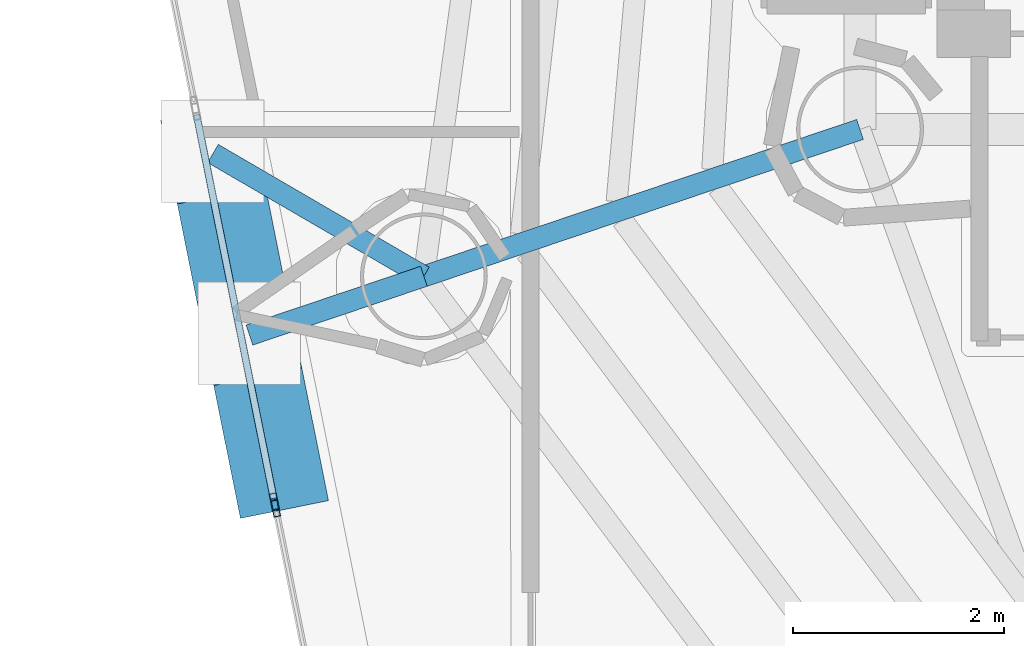
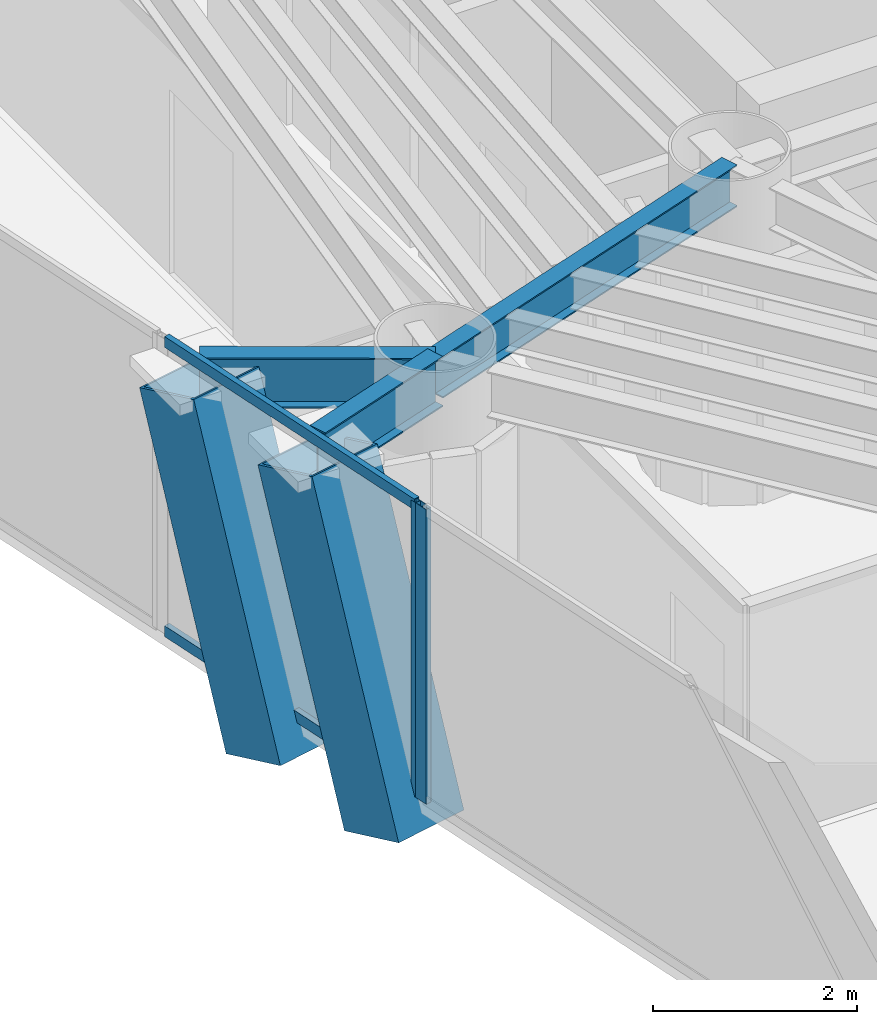
# One storey, part 4 of 22: 6 members, 3 beams, 2 elements without a shape of their own.
"""IFC4 building model written with IfcOpenShell, lengths in metres."""

from ifc_helpers import new_model, si_unit, direction, frame, origin, origin_2d, place, context, subcontext, project, spatial, hollow_rectangle, i_section, extrude, material, layer, layer_set, material_profile, profile_set, type_object, element, aggregate, save


model = new_model("IFC4")

# Units and contexts
model_context = context("Model", 3, precision=1e-05, world=origin(), true_north=direction((0.0, 1.0)))
body_context = subcontext(model_context, "Body", "Model", "MODEL_VIEW")
ifc_project = project(units=[si_unit("LENGTHUNIT", "METRE"), si_unit("AREAUNIT", "SQUARE_METRE"), si_unit("VOLUMEUNIT", "CUBIC_METRE"), si_unit("PLANEANGLEUNIT", "RADIAN"), si_unit("MASSUNIT", "GRAM", prefix="KILO")], contexts=[model_context])

# Site, building, storey
site_placement = place(None, origin())
site = spatial("IfcSite", under=ifc_project, at=site_placement, CompositionType="ELEMENT")
building_placement = place(site_placement, origin())
building = spatial("IfcBuilding", under=site, at=building_placement, Name="Qianvela Tower", CompositionType="ELEMENT")
storey_placement = place(building_placement, frame((0.0, 0.0, 196.60009765625)))
storey = spatial("IfcBuildingStorey", under=building, at=storey_placement, Name="L50", CompositionType="ELEMENT", Elevation=196.60009765625)

# Beams
ifc_material_1 = material(Name="Steel Q355B", Category="steel")
ifc_material_profile_1 = material_profile(ifc_material_1, i_section(OverallWidth=0.199951171875, OverallDepth=0.5, WebThickness=0.010009765625, FlangeThickness=0.01611328125, at=origin_2d()), Name="HN500x200x10x16")
ifc_profile_set_1 = profile_set([ifc_material_profile_1], Name="Steel Q355B")
beam_type_1 = type_object("IfcBeamType", Name="BM-HN500-GIRD", PredefinedType="BEAM", material=ifc_profile_set_1)
beam_1_placement = place(storey_placement, frame((28.60009765625, 23.85009765625, 3.267822265625), z_axis=(-0.947709214586, -0.319135150976, 0.0), x_axis=(0.319135150976, -0.947709214586, 0.0)))
element("IfcBeam", 1, at=beam_1_placement, inside=storey, type_object=beam_type_1, Name="L50 Radial Primary Floor Girder 4", PredefinedType="BEAM", context=body_context, shape_type="SweptSolid", body=[
    extrude(i_section(OverallWidth=0.199951171875, OverallDepth=0.5, WebThickness=0.010009765625, FlangeThickness=0.01611328125, at=origin_2d()), origin(), (0.0, 0.0, 1.0), 4.35595703125),
])
ifc_material_2 = material(Name="Steel Q355B", Category="steel")
ifc_material_profile_2 = material_profile(ifc_material_2, i_section(OverallWidth=0.199951171875, OverallDepth=0.60009765625, WebThickness=0.010986328125, FlangeThickness=0.01708984375, at=origin_2d()), Name="HN600x200x11x17")
ifc_profile_set_2 = profile_set([ifc_material_profile_2], Name="Steel Q355B")
beam_type_2 = type_object("IfcBeamType", Name="BM-HN600-GIRD", PredefinedType="BEAM", material=ifc_profile_set_2)
beam_2_placement = place(storey_placement, frame((24.471923828125, 22.4599609375, 3.218017578125), z_axis=(-0.864162000507, 0.503213708955, 0.0), x_axis=(-0.503213708955, -0.864162000507, 0.0)))
element("IfcBeam", 2, at=beam_2_placement, inside=storey, type_object=beam_type_2, Name="L50 Mega-Brace Column Tie Bracket F2-1", PredefinedType="BEAM", context=body_context, shape_type="SweptSolid", body=[
    extrude(i_section(OverallWidth=0.199951171875, OverallDepth=0.60009765625, WebThickness=0.010986328125, FlangeThickness=0.01708984375, at=origin_2d()), origin(), (0.0, 0.0, 1.0), 2.309814453125),
])
beam_3_placement = place(storey_placement, frame((24.471923828125, 22.4599609375, 3.218017578125), z_axis=(-0.947669414841, -0.319253316623, 0.0), x_axis=(0.319253316623, -0.947669414841, 0.0)))
element("IfcBeam", 3, at=beam_3_placement, inside=storey, type_object=beam_type_2, Name="L50 Mega-Brace Column Tie Bracket F2-2", PredefinedType="BEAM", context=body_context, shape_type="SweptSolid", body=[
    extrude(i_section(OverallWidth=0.199951171875, OverallDepth=0.60009765625, WebThickness=0.010986328125, FlangeThickness=0.01708984375, at=origin_2d()), origin(), (0.0, 0.0, 1.0), 1.741943359375),
])

# Curtain wall, members
ifc_material_3 = material(Name="Anodised Architectural Aluminium and Insulated Spandrel Panel", Category="aluminium")
ifc_layer_1 = layer(ifc_material_3, 0.179931640625)
ifc_layer_set_1 = layer_set([ifc_layer_1], Name="Anodised Architectural Aluminium and Insulated Spandrel Panel")
curtain_wall_type_1 = type_object("IfcCurtainWallType", Name="CW-BRACEBAY", PredefinedType="USERDEFINED", material=ifc_layer_set_1)
curtain_wall_1_placement = place(storey_placement, origin())
curtain_wall_1 = element("IfcCurtainWall", 4, at=curtain_wall_1_placement, inside=storey, type_object=curtain_wall_type_1, Name="L50 CW-BRACEBAY Curtain Wall 04B", ObjectType="CURTAIN_WALL_SYSTEM", PredefinedType="USERDEFINED")
ifc_material_4 = material(Name="Anodised Architectural Aluminium 6063-T6", Category="aluminium")
ifc_material_profile_3 = material_profile(ifc_material_4, hollow_rectangle(XDim=0.06494140625, YDim=0.159912109375, WallThickness=0.0048828125, at=origin_2d()), Name="ALU-MULL-65x160")
ifc_profile_set_3 = profile_set([ifc_material_profile_3], Name="Anodised Architectural Aluminium 6063-T6")
member_type_1 = type_object("IfcMemberType", Name="CW-BRACEBAY-MULL", PredefinedType="MULLION", material=ifc_profile_set_3)
member_1_placement = place(storey_placement, frame((23.05615234375, 20.327880859375, 0.0), z_axis=(0.0, 0.0, 1.0), x_axis=(0.980409588589, 0.196969638782, 0.0)))
member_1 = element("IfcMember", 5, at=member_1_placement, type_object=member_type_1, Name="CW-9 mullion 2", PredefinedType="MULLION", context=body_context, shape_type="SweptSolid", body=[
    extrude(hollow_rectangle(XDim=0.06494140625, YDim=0.159912109375, WallThickness=0.0048828125, at=origin_2d()), origin(), (0.0, 0.0, 1.0), 3.52001953125),
])
ifc_material_5 = material(Name="Anodised Architectural Aluminium 6063-T6", Category="aluminium")
ifc_material_profile_4 = material_profile(ifc_material_5, hollow_rectangle(XDim=0.06494140625, YDim=0.1298828125, WallThickness=0.00439453125, at=origin_2d()), Name="ALU-TRAN-65x130")
ifc_profile_set_4 = profile_set([ifc_material_profile_4], Name="Anodised Architectural Aluminium 6063-T6")
member_type_2 = type_object("IfcMemberType", Name="CW-BRACEBAY-TRAN", PredefinedType="USERDEFINED", material=ifc_profile_set_4)
member_2_placement = place(storey_placement, frame((22.32080078125, 23.9873046875, 0.032470703125), z_axis=(0.197016936141, -0.980400085105, 0.0), x_axis=(0.980400085105, 0.197016936141, 0.0)))
member_2 = element("IfcMember", 6, at=member_2_placement, type_object=member_type_2, Name="CW-9 transom 1.1", ObjectType="TRANSOM", PredefinedType="USERDEFINED", context=body_context, shape_type="SweptSolid", body=[
    extrude(hollow_rectangle(XDim=0.06494140625, YDim=0.1298828125, WallThickness=0.00439453125, at=origin_2d()), origin(), (0.0, 0.0, 1.0), 3.7001953125),
])
member_3_placement = place(storey_placement, frame((22.32080078125, 23.9873046875, 3.4873046875), z_axis=(0.197016936141, -0.980400085105, 0.0), x_axis=(0.980400085105, 0.197016936141, 0.0)))
member_3 = element("IfcMember", 7, at=member_3_placement, type_object=member_type_2, Name="CW-9 transom 1.2", ObjectType="TRANSOM", PredefinedType="USERDEFINED", context=body_context, shape_type="SweptSolid", body=[
    extrude(hollow_rectangle(XDim=0.06494140625, YDim=0.1298828125, WallThickness=0.00439453125, at=origin_2d()), origin(), (0.0, 0.0, 1.0), 3.7001953125),
])
aggregate(curtain_wall_1, [member_1, member_2, member_3])

# Curtain wall, member
ifc_material_6 = material(Name="Anodised Architectural Aluminium and Low-E Glass", Category="aluminium")
ifc_layer_2 = layer(ifc_material_6, 0.159912109375)
ifc_layer_set_2 = layer_set([ifc_layer_2], Name="Anodised Architectural Aluminium and Low-E Glass")
curtain_wall_type_2 = type_object("IfcCurtainWallType", Name="CW-COLIV-Z56", PredefinedType="USERDEFINED", material=ifc_layer_set_2)
curtain_wall_2_placement = place(storey_placement, origin())
curtain_wall_2 = element("IfcCurtainWall", 8, at=curtain_wall_2_placement, inside=storey, type_object=curtain_wall_type_2, Name="L50 CW-COLIV-Z56 Curtain Wall 04C", ObjectType="CURTAIN_WALL_SYSTEM", PredefinedType="USERDEFINED")
ifc_material_7 = material(Name="Anodised Architectural Aluminium 6063-T6", Category="aluminium")
ifc_material_profile_5 = material_profile(ifc_material_7, hollow_rectangle(XDim=0.06494140625, YDim=0.159912109375, WallThickness=0.0048828125, at=origin_2d()), Name="ALU-MULL-65x160")
ifc_profile_set_5 = profile_set([ifc_material_profile_5], Name="Anodised Architectural Aluminium 6063-T6")
member_type_3 = type_object("IfcMemberType", Name="CW-COLIV-Z56-MULL", PredefinedType="MULLION", material=ifc_profile_set_5)
member_4_placement = place(storey_placement, frame((23.06884765625, 20.26416015625, 0.0), z_axis=(0.0, 0.0, 1.0), x_axis=(0.980406794929, 0.19698354362, 0.0)))
member_4 = element("IfcMember", 9, at=member_4_placement, type_object=member_type_3, Name="CW-5 mullion 1", PredefinedType="MULLION", context=body_context, shape_type="SweptSolid", body=[
    extrude(hollow_rectangle(XDim=0.06494140625, YDim=0.159912109375, WallThickness=0.0048828125, at=origin_2d()), origin(), (0.0, 0.0, 1.0), 3.52001953125),
])
aggregate(curtain_wall_2, [member_4])

# Members
ifc_material_8 = material(Name="Steel Q420GJC", Category="steel")
ifc_material_profile_6 = material_profile(ifc_material_8, hollow_rectangle(XDim=0.85009765625, YDim=0.85009765625, WallThickness=0.031982421875, at=origin_2d()), Name="MBOX-850x850x32")
ifc_profile_set_6 = profile_set([ifc_material_profile_6], Name="Steel Q420GJC")
member_type_4 = type_object("IfcMemberType", Name="MBR-MBRACE-850", PredefinedType="BRACE", material=ifc_profile_set_6)
member_5_placement = place(storey_placement, frame((22.728515625, 22.36474609375, -0.482177734375), z_axis=(-0.064522828848, 0.3211179627, 0.944838641562), x_axis=(-0.980404590328, -0.19699451582, 0.0)))
element("IfcMember", 10, at=member_5_placement, inside=storey, type_object=member_type_4, Name="L50 Tier 8 Exterior Mega-Brace F2A", PredefinedType="BRACE", context=body_context, shape_type="SweptSolid", body=[
    extrude(hollow_rectangle(XDim=0.85009765625, YDim=0.85009765625, WallThickness=0.031982421875, at=origin_2d()), origin(), (0.0, 0.0, 1.0), 3.916259765625),
])
member_6_placement = place(storey_placement, frame((23.073486328125, 20.646728515625, -0.482177734375), z_axis=(-0.064463327639, 0.321007421677, 0.944880264699), x_axis=(-0.980426580626, -0.196885042604, 0.0)))
element("IfcMember", 11, at=member_6_placement, inside=storey, type_object=member_type_4, Name="L50 Tier 8 Exterior Mega-Brace F2B", PredefinedType="BRACE", context=body_context, shape_type="SweptSolid", body=[
    extrude(hollow_rectangle(XDim=0.85009765625, YDim=0.85009765625, WallThickness=0.031982421875, at=origin_2d()), origin(), (0.0, 0.0, 1.0), 3.916015625),
])

save(model, "model.ifc")
